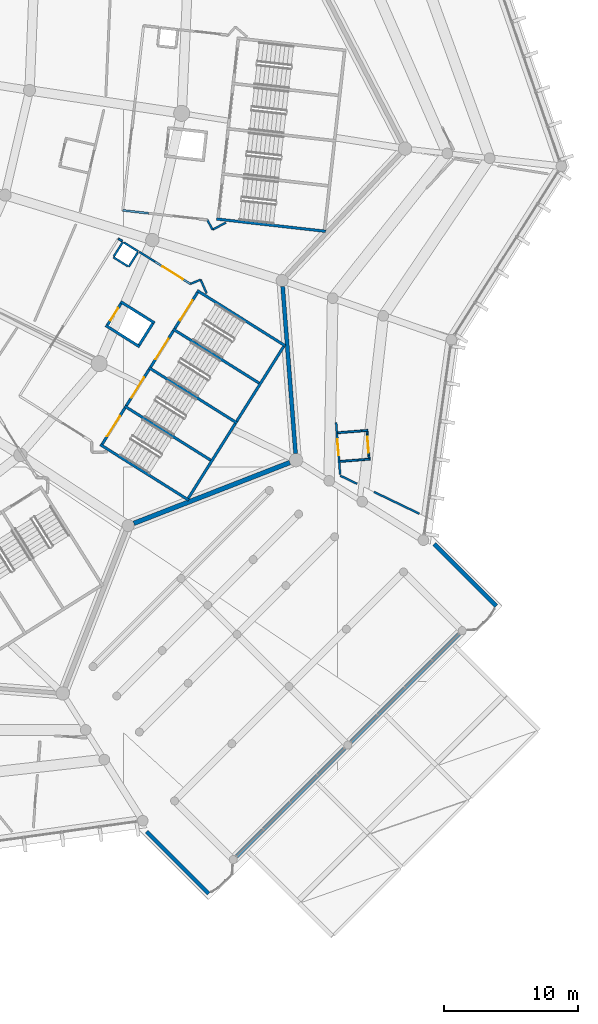
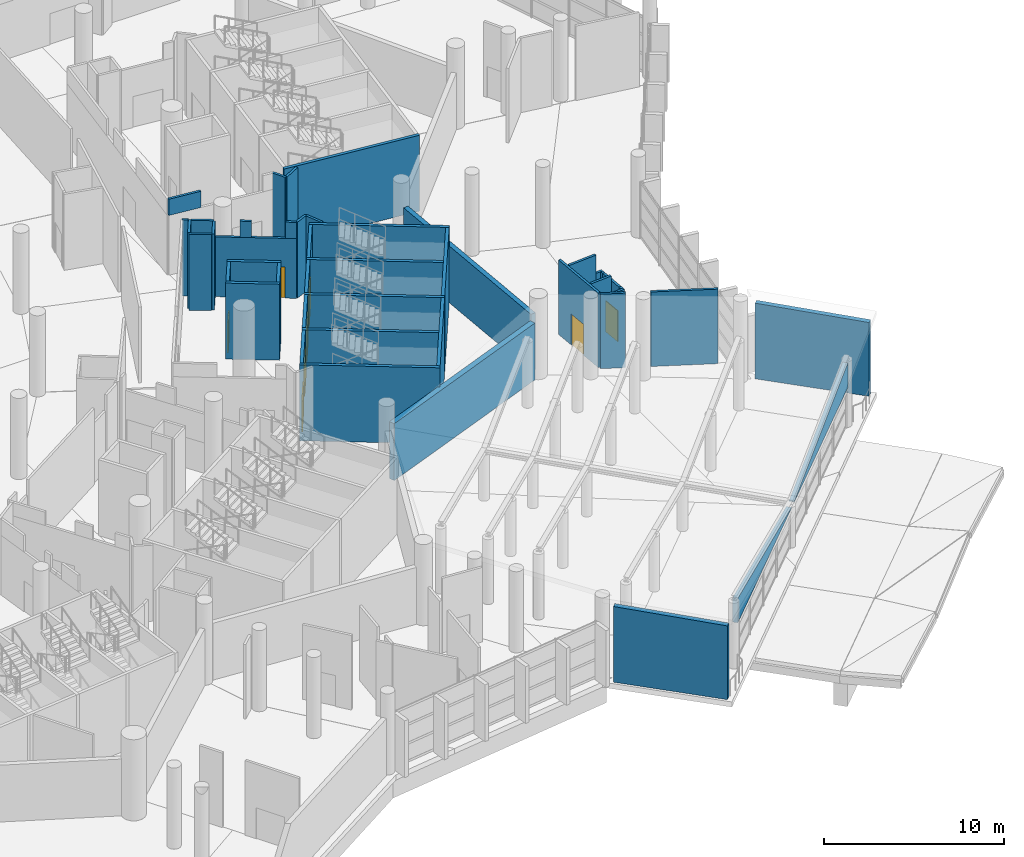
# One storey, part 175 of 271: 46 walls, 8 doors, 8 openings.
"""IFC4 building model written with IfcOpenShell, lengths in metres."""

from ifc_helpers import new_model, si_unit, direction, frame, frame_2d, origin, place, context, subcontext, project, spatial, polyline, rectangle, outline, extrude, material, layer, layer_set, type_object, element, fill, save


model = new_model("IFC4")

# Units and contexts
model_context = context("Model", 3, precision=1e-05, world=origin(), true_north=direction((0.0, 1.0)))
body_context = subcontext(model_context, "Body", "Model", "MODEL_VIEW")
ifc_project = project(units=[si_unit("LENGTHUNIT", "METRE"), si_unit("AREAUNIT", "SQUARE_METRE"), si_unit("VOLUMEUNIT", "CUBIC_METRE"), si_unit("PLANEANGLEUNIT", "RADIAN"), si_unit("MASSUNIT", "GRAM", prefix="KILO")], contexts=[model_context])

# Site, building, storey
site_placement = place(None, origin())
site = spatial("IfcSite", under=ifc_project, at=site_placement, CompositionType="ELEMENT")
building_placement = place(site_placement, origin())
building = spatial("IfcBuilding", under=site, at=building_placement, Name="Meseta Stadium", CompositionType="ELEMENT")
storey_placement = place(building_placement, frame((0.0, 0.0, 6.5)))
storey = spatial("IfcBuildingStorey", under=building, at=storey_placement, Name="L01", CompositionType="ELEMENT", Elevation=6.5)

# Walls
ifc_material_1 = material(Name="Concrete C40/50", Category="concrete")
ifc_layer_1 = layer(ifc_material_1, 0.199951171875)
ifc_layer_set_1 = layer_set([ifc_layer_1], Name="Core divider wall 200")
wall_type_1 = type_object("IfcWallType", Name="Core divider wall 200", PredefinedType="SHEAR", material=ifc_layer_set_1)
wall_1_placement = place(storey_placement, frame((86.696533203125, -79.5869140625, 0.0), z_axis=(0.0, 0.0, 1.0), x_axis=(-0.846713903605, 0.532048461553, 0.0)))
element("IfcWall", 1, at=wall_1_placement, inside=storey, type_object=wall_type_1, Name="Core 28 L01 stair A divider wall", PredefinedType="SHEAR", context=body_context, shape_type="SweptSolid", body=[
    extrude(rectangle(XDim=7.7998046875, YDim=0.199951171875, at=frame_2d((3.89990234375, 0.0))), origin(), (0.0, 0.0, 1.0), 5.14990234375),
])
wall_2_placement = place(storey_placement, frame((90.314453125, -73.8291015625, 0.0), z_axis=(0.0, 0.0, 1.0), x_axis=(-0.846722763703, 0.532034361135, 0.0)))
element("IfcWall", 2, at=wall_2_placement, inside=storey, type_object=wall_type_1, Name="Core 28 L01 stair B divider wall", PredefinedType="SHEAR", context=body_context, shape_type="SweptSolid", body=[
    extrude(rectangle(XDim=7.800048828125, YDim=0.199951171875, at=frame_2d((3.89990234375, 0.0))), origin(), (0.0, 0.0, 1.0), 5.14990234375),
])
ifc_material_2 = material(Name="Concrete C40/50", Category="concrete")
ifc_layer_2 = layer(ifc_material_2, 0.199951171875)
ifc_layer_set_2 = layer_set([ifc_layer_2], Name="Core shaft wall 200")
wall_type_2 = type_object("IfcWallType", Name="Core shaft wall 200", PredefinedType="SHEAR", material=ifc_layer_set_2)
wall_3_placement = place(storey_placement, frame((95.123046875, -62.3779296875, 0.0), z_axis=(0.0, 0.0, 1.0), x_axis=(-0.993710792168, 0.111977058046, 0.0)))
element("IfcWall", 3, at=wall_3_placement, inside=storey, type_object=wall_type_2, Name="Core 01 L01 stair wall A-side", PredefinedType="SHEAR", context=body_context, shape_type="SweptSolid", body=[
    extrude(rectangle(XDim=8.199951171875, YDim=0.199951171875, at=frame_2d((4.10009765625, 0.0))), origin(), (0.0, 0.0, 1.0), 5.14990234375),
])
for number, where, z_axis, x_axis, name in (
    (4, (84.8876953125, -82.4658203125, 0.0), (0.0, 0.0, 1.0), (-0.846722763703, 0.532034361135, 0.0), "Core 28 L01 stair wall A-side"),
    (5, (88.505615234375, -76.7080078125, 0.0), (0.0, 0.0, 1.0), (-0.846722763703, 0.532034361135, 0.0), "Core 28 L01 stair wall shared"),
    (6, (92.123291015625, -70.9501953125, 0.0), (0.0, 0.0, 1.0), (-0.846722763703, 0.532034361135, 0.0), "Core 28 L01 stair wall B-side"),
):
    element("IfcWall", number, at=place(storey_placement, frame(where, z_axis=z_axis, x_axis=x_axis)), inside=storey, type_object=wall_type_2, Name=name, PredefinedType="SHEAR", context=body_context, shape_type="SweptSolid", body=[
        extrude(rectangle(XDim=7.800048828125, YDim=0.199951171875, at=frame_2d((3.89990234375, 0.0))), origin(), (0.0, 0.0, 1.0), 5.14990234375),
    ])
for number, where, z_axis, x_axis, name in (
    (7, (84.856201171875, -82.327880859375, 0.0), (0.0, 0.0, 1.0), (0.532038964807, 0.846719870989, 0.0), "Core 28 L01 stair A outer end wall"),
    (8, (88.47412109375, -76.570068359375, 0.0), (0.0, 0.0, 1.0), (0.532038964807, 0.846719870989, 0.0), "Core 28 L01 stair B outer end wall"),
):
    element("IfcWall", number, at=place(storey_placement, frame(where, z_axis=z_axis, x_axis=x_axis)), inside=storey, type_object=wall_type_2, Name=name, PredefinedType="SHEAR", context=body_context, shape_type="SweptSolid", body=[
        extrude(rectangle(XDim=6.60009765625, YDim=0.199951171875, at=frame_2d((3.300048828125, 0.0))), origin(), (0.0, 0.0, 1.0), 5.14990234375),
    ])

# Wall, opening, door
wall_4_placement = place(storey_placement, frame((78.421142578125, -78.284423828125, 0.0), z_axis=(0.0, 0.0, 1.0), x_axis=(0.53206841829, 0.84670136309, 0.0)))
wall_4 = element("IfcWall", 9, at=wall_4_placement, inside=storey, type_object=wall_type_2, Name="Core 28 L01 stair A1 inner end wall", PredefinedType="SHEAR", context=body_context, shape_type="SweptSolid", body=[
    extrude(rectangle(XDim=3.199951171875, YDim=0.199951171875, at=frame_2d((1.60009765625, 0.0))), origin(), (0.0, 0.0, 1.0), 5.14990234375),
])
opening_1_placement = place(wall_4_placement, frame((0.699951171875, 0.0, 0.0)))
opening_1 = element("IfcOpeningElement", 10, at=opening_1_placement, cuts=wall_4, Name="Opening D373", PredefinedType="OPENING", context=body_context, shape_type="SweptSolid", body=[
    extrude(rectangle(XDim=1.800048828125, YDim=2.10009765625, at=frame_2d((0.89990234375, 1.050048828125))), frame((0.0, 0.10986328125, 0.0), z_axis=(0.0, -1.0, 0.0), x_axis=(1.0, 0.0, 0.0)), (0.0, 0.0, 1.0), 0.219970703125),
])
ifc_material_3 = material(Name="Steel", Category="steel")
door_type_1 = type_object("IfcDoorType", Name="Stair door 1800x2100", OperationType="DOUBLE_DOOR_SINGLE_SWING", PredefinedType="DOOR", material=ifc_material_3)
door_1_placement = place(opening_1_placement, origin())
door_1 = element("IfcDoor", 11, at=door_1_placement, inside=storey, type_object=door_type_1, Name="Stair A1 door 28 L01", OperationType="DOUBLE_DOOR_SINGLE_SWING", OverallHeight=2.10009765625, OverallWidth=1.800048828125, PredefinedType="DOOR", context=body_context, shape_type="SweptSolid", body=[
    extrude(rectangle(XDim=1.800048828125, YDim=2.10009765625, at=frame_2d((0.89990234375, 1.050048828125))), frame((0.0, 0.02490234375, 0.0), z_axis=(0.0, -1.0, 0.0), x_axis=(1.0, 0.0, 0.0)), (0.0, 0.0, 1.0), 0.050048828125),
])
fill(opening_1, door_1)

wall_5_placement = place(storey_placement, frame((80.22998046875, -75.405517578125, 0.0), z_axis=(0.0, 0.0, 1.0), x_axis=(0.53206841829, 0.84670136309, 0.0)))
wall_5 = element("IfcWall", 12, at=wall_5_placement, inside=storey, type_object=wall_type_2, Name="Core 28 L01 stair A2 inner end wall", PredefinedType="SHEAR", context=body_context, shape_type="SweptSolid", body=[
    extrude(rectangle(XDim=3.199951171875, YDim=0.199951171875, at=frame_2d((1.60009765625, 0.0))), origin(), (0.0, 0.0, 1.0), 5.14990234375),
])
opening_2_placement = place(wall_5_placement, frame((0.699951171875, 0.0, 0.0)))
opening_2 = element("IfcOpeningElement", 13, at=opening_2_placement, cuts=wall_5, Name="Opening D374", PredefinedType="OPENING", context=body_context, shape_type="SweptSolid", body=[
    extrude(rectangle(XDim=1.800048828125, YDim=2.10009765625, at=frame_2d((0.89990234375, 1.050048828125))), frame((0.0, 0.10986328125, 0.0), z_axis=(0.0, -1.0, 0.0), x_axis=(1.0, 0.0, 0.0)), (0.0, 0.0, 1.0), 0.219970703125),
])
door_2_placement = place(opening_2_placement, origin())
door_2 = element("IfcDoor", 14, at=door_2_placement, inside=storey, type_object=door_type_1, Name="Stair A2 door 28 L01", OperationType="DOUBLE_DOOR_SINGLE_SWING", OverallHeight=2.10009765625, OverallWidth=1.800048828125, PredefinedType="DOOR", context=body_context, shape_type="SweptSolid", body=[
    extrude(rectangle(XDim=1.800048828125, YDim=2.10009765625, at=frame_2d((0.89990234375, 1.050048828125))), frame((0.0, 0.02490234375, 0.0), z_axis=(0.0, -1.0, 0.0), x_axis=(1.0, 0.0, 0.0)), (0.0, 0.0, 1.0), 0.050048828125),
])
fill(opening_2, door_2)

wall_6_placement = place(storey_placement, frame((82.0390625, -72.526611328125, 0.0), z_axis=(0.0, 0.0, 1.0), x_axis=(0.532013720158, 0.846735733015, 0.0)))
wall_6 = element("IfcWall", 15, at=wall_6_placement, inside=storey, type_object=wall_type_2, Name="Core 28 L01 stair B1 inner end wall", PredefinedType="SHEAR", context=body_context, shape_type="SweptSolid", body=[
    extrude(rectangle(XDim=3.199951171875, YDim=0.199951171875, at=frame_2d((1.60009765625, 0.0))), origin(), (0.0, 0.0, 1.0), 5.14990234375),
])
opening_3_placement = place(wall_6_placement, frame((0.699951171875, 0.0, 0.0)))
opening_3 = element("IfcOpeningElement", 16, at=opening_3_placement, cuts=wall_6, Name="Opening D375", PredefinedType="OPENING", context=body_context, shape_type="SweptSolid", body=[
    extrude(rectangle(XDim=1.800048828125, YDim=2.10009765625, at=frame_2d((0.89990234375, 1.050048828125))), frame((0.0, 0.10986328125, 0.0), z_axis=(0.0, -1.0, 0.0), x_axis=(1.0, 0.0, 0.0)), (0.0, 0.0, 1.0), 0.219970703125),
])
door_3_placement = place(opening_3_placement, origin())
door_3 = element("IfcDoor", 17, at=door_3_placement, inside=storey, type_object=door_type_1, Name="Stair B1 door 28 L01", OperationType="DOUBLE_DOOR_SINGLE_SWING", OverallHeight=2.10009765625, OverallWidth=1.800048828125, PredefinedType="DOOR", context=body_context, shape_type="SweptSolid", body=[
    extrude(rectangle(XDim=1.800048828125, YDim=2.10009765625, at=frame_2d((0.89990234375, 1.050048828125))), frame((0.0, 0.02490234375, 0.0), z_axis=(0.0, -1.0, 0.0), x_axis=(1.0, 0.0, 0.0)), (0.0, 0.0, 1.0), 0.050048828125),
])
fill(opening_3, door_3)

wall_7_placement = place(storey_placement, frame((83.847900390625, -69.647705078125, 0.0), z_axis=(0.0, 0.0, 1.0), x_axis=(0.532013720158, 0.846735733015, 0.0)))
wall_7 = element("IfcWall", 18, at=wall_7_placement, inside=storey, type_object=wall_type_2, Name="Core 28 L01 stair B2 inner end wall", PredefinedType="SHEAR", context=body_context, shape_type="SweptSolid", body=[
    extrude(rectangle(XDim=3.199951171875, YDim=0.199951171875, at=frame_2d((1.60009765625, 0.0))), origin(), (0.0, 0.0, 1.0), 5.14990234375),
])
opening_4_placement = place(wall_7_placement, frame((0.699951171875, 0.0, 0.0)))
opening_4 = element("IfcOpeningElement", 19, at=opening_4_placement, cuts=wall_7, Name="Opening D376", PredefinedType="OPENING", context=body_context, shape_type="SweptSolid", body=[
    extrude(rectangle(XDim=1.800048828125, YDim=2.10009765625, at=frame_2d((0.89990234375, 1.050048828125))), frame((0.0, 0.10986328125, 0.0), z_axis=(0.0, -1.0, 0.0), x_axis=(1.0, 0.0, 0.0)), (0.0, 0.0, 1.0), 0.219970703125),
])
door_4_placement = place(opening_4_placement, origin())
door_4 = element("IfcDoor", 20, at=door_4_placement, inside=storey, type_object=door_type_1, Name="Stair B2 door 28 L01", OperationType="DOUBLE_DOOR_SINGLE_SWING", OverallHeight=2.10009765625, OverallWidth=1.800048828125, PredefinedType="DOOR", context=body_context, shape_type="SweptSolid", body=[
    extrude(rectangle(XDim=1.800048828125, YDim=2.10009765625, at=frame_2d((0.89990234375, 1.050048828125))), frame((0.0, 0.02490234375, 0.0), z_axis=(0.0, -1.0, 0.0), x_axis=(1.0, 0.0, 0.0)), (0.0, 0.0, 1.0), 0.050048828125),
])
fill(opening_4, door_4)

# Walls
for number, where, z_axis, x_axis, name in (
    (21, (81.22119140625, -71.0087890625, 0.0), (0.0, 0.0, 1.0), (-0.846757002027, 0.531979867588, 0.0), "Core 28 L01 lift shaft wall left"),
    (22, (82.33837890625, -69.230712890625, 0.0), (0.0, 0.0, 1.0), (-0.846757002027, 0.531979867588, 0.0), "Core 28 L01 lift shaft wall right"),
):
    element("IfcWall", number, at=place(storey_placement, frame(where, z_axis=z_axis, x_axis=x_axis)), inside=storey, type_object=wall_type_2, Name=name, PredefinedType="SHEAR", context=body_context, shape_type="SweptSolid", body=[
        extrude(rectangle(XDim=3.0, YDim=0.199951171875, at=frame_2d((1.5, 0.0))), origin(), (0.0, 0.0, 1.0), 5.14990234375),
    ])
wall_8_placement = place(storey_placement, frame((81.189697265625, -70.87109375, 0.0), z_axis=(0.0, 0.0, 1.0), x_axis=(0.531961007765, 0.846768850524, 0.0)))
element("IfcWall", 23, at=wall_8_placement, inside=storey, type_object=wall_type_2, Name="Core 28 L01 lift shaft back wall", PredefinedType="SHEAR", context=body_context, shape_type="SweptSolid", body=[
    extrude(rectangle(XDim=1.900146484375, YDim=0.199951171875, at=frame_2d((0.9501953125, 0.0))), origin(), (0.0, 0.0, 1.0), 5.14990234375),
])

# Wall, opening, door
wall_9_placement = place(storey_placement, frame((78.81884765625, -69.38134765625, 0.0), z_axis=(0.0, 0.0, 1.0), x_axis=(0.532018892235, 0.846732483318, 0.0)))
wall_9 = element("IfcWall", 24, at=wall_9_placement, inside=storey, type_object=wall_type_2, Name="Core 28 L01 lift shaft front wall", PredefinedType="SHEAR", context=body_context, shape_type="SweptSolid", body=[
    extrude(rectangle(XDim=1.89990234375, YDim=0.199951171875, at=frame_2d((0.949951171875, 0.0))), origin(), (0.0, 0.0, 1.0), 5.14990234375),
])
opening_5_placement = place(wall_9_placement, frame((0.39990234375, 0.0, 0.0)))
opening_5 = element("IfcOpeningElement", 25, at=opening_5_placement, cuts=wall_9, Name="Opening LD153", PredefinedType="OPENING", context=body_context, shape_type="SweptSolid", body=[
    extrude(rectangle(XDim=1.10009765625, YDim=2.10009765625, at=frame_2d((0.550048828125, 1.050048828125))), frame((0.0, 0.10986328125, 0.0), z_axis=(0.0, -1.0, 0.0), x_axis=(1.0, 0.0, 0.0)), (0.0, 0.0, 1.0), 0.219970703125),
])
ifc_material_4 = material(Name="Steel", Category="steel")
door_type_2 = type_object("IfcDoorType", Name="Lift landing door 1100x2100", OperationType="SLIDING_TO_LEFT", PredefinedType="DOOR", material=ifc_material_4)
door_5_placement = place(opening_5_placement, origin())
door_5 = element("IfcDoor", 26, at=door_5_placement, inside=storey, type_object=door_type_2, Name="Lift landing door LD153", OperationType="SLIDING_TO_LEFT", OverallHeight=2.10009765625, OverallWidth=1.10009765625, PredefinedType="DOOR", context=body_context, shape_type="SweptSolid", body=[
    extrude(rectangle(XDim=1.10009765625, YDim=2.10009765625, at=frame_2d((0.550048828125, 1.050048828125))), frame((0.0, 0.02490234375, 0.0), z_axis=(0.0, -1.0, 0.0), x_axis=(1.0, 0.0, 0.0)), (0.0, 0.0, 1.0), 0.050048828125),
])
fill(opening_5, door_5)

# Walls
ifc_material_5 = material(Name="Precast concrete C40/50", Category="concrete")
ifc_layer_3 = layer(ifc_material_5, 0.300048828125)
ifc_layer_set_3 = layer_set([ifc_layer_3], Name="Gate facade panel wall 300")
wall_type_3 = type_object("IfcWallType", Name="Gate facade panel wall 300", PredefinedType="SOLIDWALL", material=ifc_layer_set_3)
wall_10_placement = place(storey_placement, frame((88.426513671875, -109.114013671875, 2.744384765625), z_axis=(0.0, 0.0, 1.0), x_axis=(0.707106781187, 0.707106781187, 0.0)))
element("IfcWall", 27, at=wall_10_placement, inside=storey, type_object=wall_type_3, Name="Gate 8 gable panel wall", PredefinedType="SOLIDWALL", context=body_context, shape_type="SweptSolid", body=[
    extrude(outline(polyline([(0.0, 0.0), (11.499755859375, 0.0), (11.5, 0.052001953125), (0.0, 1.662109375), (0.0, 0.0)])), frame((0.0, 0.14990234375, 0.0), z_axis=(0.0, -1.0, 0.0), x_axis=(1.0, 0.0, 0.0)), (0.0, 0.0, 1.0), 0.300048828125),
])
wall_11_placement = place(storey_placement, frame((96.982421875, -100.55810546875, 2.744384765625), z_axis=(0.0, 0.0, 1.0), x_axis=(0.707106781187, 0.707106781187, 0.0)))
element("IfcWall", 28, at=wall_11_placement, inside=storey, type_object=wall_type_3, Name="Gate 8 gable panel wall", PredefinedType="SOLIDWALL", context=body_context, shape_type="SweptSolid", body=[
    extrude(outline(polyline([(0.0, 0.0), (11.499755859375, 0.0), (11.5, 1.662109375), (0.0, 0.052001953125), (0.0, 0.0)])), frame((0.0, 0.14990234375, 0.0), z_axis=(0.0, -1.0, 0.0), x_axis=(1.0, 0.0, 0.0)), (0.0, 0.0, 1.0), 0.300048828125),
])
wall_12_placement = place(storey_placement, frame((103.238525390625, -85.742431640625, 0.0), z_axis=(0.0, 0.0, 1.0), x_axis=(0.707106781187, -0.707106781187, 0.0)))
element("IfcWall", 29, at=wall_12_placement, inside=storey, type_object=wall_type_3, Name="Gate 8 side gable panel wall", PredefinedType="SOLIDWALL", context=body_context, shape_type="SweptSolid", body=[
    extrude(outline(polyline([(0.0, 0.0), (6.552490234375, 0.0), (6.552490234375, 4.99755859375), (0.0, 5.12841796875), (0.0, 0.0)])), frame((0.0, 0.14990234375, 0.0), z_axis=(0.0, -1.0, 0.0), x_axis=(1.0, 0.0, 0.0)), (0.0, 0.0, 1.0), 0.300048828125),
])
wall_13_placement = place(storey_placement, frame((86.375732421875, -111.871826171875, 0.0), z_axis=(0.0, 0.0, 1.0), x_axis=(-0.707106781187, 0.707106781187, 0.0)))
element("IfcWall", 30, at=wall_13_placement, inside=storey, type_object=wall_type_3, Name="Gate 8 side gable panel wall", PredefinedType="SOLIDWALL", context=body_context, shape_type="SweptSolid", body=[
    extrude(outline(polyline([(0.0, 0.0), (6.552490234375, 0.0), (6.552490234375, 5.12841796875), (0.0, 4.99755859375), (0.0, 0.0)])), frame((0.0, 0.14990234375, 0.0), z_axis=(0.0, -1.0, 0.0), x_axis=(1.0, 0.0, 0.0)), (0.0, 0.0, 1.0), 0.300048828125),
])
ifc_material_6 = material(Name="Masonry blockwork", Category="masonry")
ifc_layer_4 = layer(ifc_material_6, 0.14990234375)
ifc_layer_set_4 = layer_set([ifc_layer_4], Name="Partition 150")
wall_type_4 = type_object("IfcWallType", Name="Partition 150", PredefinedType="PARTITIONING", material=ifc_layer_set_4)
wall_14_placement = place(storey_placement, frame((102.117919921875, -83.479248046875, 0.0), z_axis=(0.0, 0.0, 1.0), x_axis=(-0.901188323719, 0.433427739298, 0.0)))
element("IfcWall", 31, at=wall_14_placement, inside=storey, type_object=wall_type_4, Name="Partition L01 L01-ring27-0", PredefinedType="PARTITIONING", context=body_context, shape_type="SweptSolid", body=[
    extrude(rectangle(XDim=3.74755859375, YDim=0.14990234375, at=frame_2d((1.873779296875, 0.0))), origin(), (0.0, 0.0, 1.0), 5.050048828125),
])
wall_15_placement = place(storey_placement, frame((97.47412109375, -81.245849609375, 0.0), z_axis=(0.0, 0.0, 1.0), x_axis=(-0.901167600811, 0.433470823988, 0.0)))
element("IfcWall", 32, at=wall_15_placement, inside=storey, type_object=wall_type_4, Name="Partition L01 L01-ring27-0", PredefinedType="PARTITIONING", context=body_context, shape_type="SweptSolid", body=[
    extrude(rectangle(XDim=1.4052734375, YDim=0.14990234375, at=frame_2d((0.70263671875, 0.0))), origin(), (0.0, 0.0, 1.0), 5.050048828125),
])

# Wall, opening, door
wall_16_placement = place(storey_placement, frame((96.201171875, -80.55029296875, 0.0), z_axis=(0.0, 0.0, 1.0), x_axis=(-0.076969034149, 0.997033483782, 0.0)))
wall_16 = element("IfcWall", 33, at=wall_16_placement, inside=storey, type_object=wall_type_4, Name="Partition L01 L01-ring27-0", PredefinedType="PARTITIONING", context=body_context, shape_type="SweptSolid", body=[
    extrude(rectangle(XDim=3.904541015625, YDim=0.14990234375, at=frame_2d((1.9521484375, 0.0))), origin(), (0.0, 0.0, 1.0), 5.050048828125),
])
opening_6_placement = place(wall_16_placement, frame((1.449951171875, 0.0, 0.0)))
opening_6 = element("IfcOpeningElement", 34, at=opening_6_placement, cuts=wall_16, Name="Opening D705", PredefinedType="OPENING", context=body_context, shape_type="SweptSolid", body=[
    extrude(rectangle(XDim=1.199951171875, YDim=2.10009765625, at=frame_2d((0.60009765625, 1.050048828125))), frame((0.0, 0.0849609375, 0.0), z_axis=(0.0, -1.0, 0.0), x_axis=(1.0, 0.0, 0.0)), (0.0, 0.0, 1.0), 0.169921875),
])
ifc_material_7 = material(Name="Steel", Category="steel")
door_type_3 = type_object("IfcDoorType", Name="Fire door 1200x2100 EI2 60", OperationType="NOTDEFINED", PredefinedType="DOOR", material=ifc_material_7)
door_6_placement = place(opening_6_placement, origin())
door_6 = element("IfcDoor", 35, at=door_6_placement, inside=storey, type_object=door_type_3, Name="Door D705", OperationType="SINGLE_SWING_RIGHT", OverallHeight=2.10009765625, OverallWidth=1.199951171875, PredefinedType="DOOR", context=body_context, shape_type="SweptSolid", body=[
    extrude(rectangle(XDim=1.199951171875, YDim=2.10009765625, at=frame_2d((0.60009765625, 1.050048828125))), frame((0.0, 0.02490234375, 0.0), z_axis=(0.0, -1.0, 0.0), x_axis=(1.0, 0.0, 0.0)), (0.0, 0.0, 1.0), 0.050048828125),
])
fill(opening_6, door_6)

# Walls
wall_17_placement = place(storey_placement, frame((79.95751953125, -60.81494140625, 4.050048828125), z_axis=(0.0, 0.0, 1.0), x_axis=(0.993707363865, -0.11200747743, 0.0)))
element("IfcWall", 36, at=wall_17_placement, inside=storey, type_object=wall_type_4, Name="Stair vestibule wall L01 core 01", PredefinedType="PARTITIONING", context=body_context, shape_type="SweptSolid", body=[
    extrude(rectangle(XDim=1.955078125, YDim=0.14990234375, at=frame_2d((0.9775390625, 0.0))), origin(), (0.0, 0.0, 1.0), 1.099853515625),
])
wall_18_placement = place(storey_placement, frame((86.27197265625, -61.526611328125, 0.0), z_axis=(0.0, 0.0, 1.0), x_axis=(0.480336186773, -0.877084458691, 0.0)))
element("IfcWall", 37, at=wall_18_placement, inside=storey, type_object=wall_type_4, Name="Stair vestibule wall L01 core 01", PredefinedType="PARTITIONING", context=body_context, shape_type="SweptSolid", body=[
    extrude(rectangle(XDim=0.82958984375, YDim=0.14990234375, at=frame_2d((0.414794921875, 0.0))), origin(), (0.0, 0.0, 1.0), 5.14990234375),
])
wall_19_placement = place(storey_placement, frame((86.67041015625, -62.254150390625, 0.0), z_axis=(0.0, 0.0, 1.0), x_axis=(0.884880656279, 0.465817801446, 0.0)))
element("IfcWall", 38, at=wall_19_placement, inside=storey, type_object=wall_type_4, Name="Stair vestibule wall L01 core 01", PredefinedType="PARTITIONING", context=body_context, shape_type="SweptSolid", body=[
    extrude(rectangle(XDim=1.1279296875, YDim=0.14990234375, at=frame_2d((0.56396484375, 0.0))), origin(), (0.0, 0.0, 1.0), 5.14990234375),
])
for number, where, z_axis, x_axis, name in (
    (39, (80.400634765625, -65.03125, 0.0), (0.0, 0.0, 1.0), (0.532097038765, 0.846683377265, 0.0), "Pressurisation shaft wall L01 core 28"),
    (40, (81.118896484375, -63.88818359375, 0.0), (0.0, 0.0, 1.0), (-0.846683377265, 0.532097038765, 0.0), "Pressurisation shaft wall L01 core 28"),
):
    element("IfcWall", number, at=place(storey_placement, frame(where, z_axis=z_axis, x_axis=x_axis)), inside=storey, type_object=wall_type_4, Name=name, PredefinedType="PARTITIONING", context=body_context, shape_type="SweptSolid", body=[
        extrude(rectangle(XDim=1.275146484375, YDim=0.14990234375, at=frame_2d((0.6376953125, 0.0))), origin(), (0.0, 0.0, 1.0), 5.14990234375),
    ])
for number, where, z_axis, x_axis, name in (
    (41, (79.975830078125, -63.169921875, 0.0), (0.0, 0.0, 1.0), (-0.531959757672, -0.846769635862, 0.0), "Pressurisation shaft wall L01 core 28"),
    (42, (79.257568359375, -64.31298828125, 0.0), (0.0, 0.0, 1.0), (0.846769635862, -0.531959757672, 0.0), "Pressurisation shaft wall L01 core 28"),
):
    element("IfcWall", number, at=place(storey_placement, frame(where, z_axis=z_axis, x_axis=x_axis)), inside=storey, type_object=wall_type_4, Name=name, PredefinedType="PARTITIONING", context=body_context, shape_type="SweptSolid", body=[
        extrude(rectangle(XDim=1.27490234375, YDim=0.14990234375, at=frame_2d((0.637451171875, 0.0))), origin(), (0.0, 0.0, 1.0), 5.14990234375),
    ])
wall_20_placement = place(storey_placement, frame((79.91455078125, -63.107666015625, 0.0), z_axis=(0.0, 0.0, 1.0), x_axis=(-0.84676785432, 0.531962593506, 0.0)))
element("IfcWall", 43, at=wall_20_placement, inside=storey, type_object=wall_type_4, Name="Stair vestibule wall L01 core 28", PredefinedType="PARTITIONING", context=body_context, shape_type="SweptSolid", body=[
    extrude(rectangle(XDim=0.3349609375, YDim=0.14990234375, at=frame_2d((0.16748046875, 0.0))), origin(), (0.0, 0.0, 1.0), 5.14990234375),
])
wall_21_placement = place(storey_placement, frame((86.22900390625, -67.022705078125, 0.0), z_axis=(0.0, 0.0, 1.0), x_axis=(-0.401170879934, 0.916003234215, 0.0)))
element("IfcWall", 44, at=wall_21_placement, inside=storey, type_object=wall_type_4, Name="Stair vestibule wall L01 core 28", PredefinedType="PARTITIONING", context=body_context, shape_type="SweptSolid", body=[
    extrude(rectangle(XDim=1.127685546875, YDim=0.14990234375, at=frame_2d((0.56396484375, 0.0))), origin(), (0.0, 0.0, 1.0), 5.14990234375),
])
wall_22_placement = place(storey_placement, frame((85.776611328125, -65.98974609375, 0.0), z_axis=(0.0, 0.0, 1.0), x_axis=(-0.922414184809, -0.386202112453, 0.0)))
element("IfcWall", 45, at=wall_22_placement, inside=storey, type_object=wall_type_4, Name="Stair vestibule wall L01 core 28", PredefinedType="PARTITIONING", context=body_context, shape_type="SweptSolid", body=[
    extrude(rectangle(XDim=0.830078125, YDim=0.14990234375, at=frame_2d((0.4150390625, 0.0))), origin(), (0.0, 0.0, 1.0), 5.14990234375),
])

# Wall, opening, door
wall_23_placement = place(storey_placement, frame((85.010986328125, -66.310302734375, 0.0), z_axis=(0.0, 0.0, 1.0), x_axis=(-0.846710517912, 0.532053849583, 0.0)))
wall_23 = element("IfcWall", 46, at=wall_23_placement, inside=storey, type_object=wall_type_4, Name="Stair vestibule wall L01 core 28", PredefinedType="PARTITIONING", context=body_context, shape_type="SweptSolid", body=[
    extrude(rectangle(XDim=4.50341796875, YDim=0.14990234375, at=frame_2d((2.251708984375, 0.0))), origin(), (0.0, 0.0, 1.0), 4.050048828125),
])
opening_7_placement = place(wall_23_placement, frame((0.64990234375, 0.0, 0.0)))
opening_7 = element("IfcOpeningElement", 47, at=opening_7_placement, cuts=wall_23, Name="Opening D812", PredefinedType="OPENING", context=body_context, shape_type="SweptSolid", body=[
    extrude(rectangle(XDim=1.800048828125, YDim=2.10009765625, at=frame_2d((0.89990234375, 1.050048828125))), frame((0.0, 0.0849609375, 0.0), z_axis=(0.0, -1.0, 0.0), x_axis=(1.0, 0.0, 0.0)), (0.0, 0.0, 1.0), 0.169921875),
])
ifc_material_8 = material(Name="Steel", Category="steel")
door_type_4 = type_object("IfcDoorType", Name="Fire double door 1800x2100 EI2 60", OperationType="DOUBLE_DOOR_SINGLE_SWING", PredefinedType="DOOR", material=ifc_material_8)
door_7_placement = place(opening_7_placement, origin())
door_7 = element("IfcDoor", 48, at=door_7_placement, inside=storey, type_object=door_type_4, Name="Stair vestibule door L01 core 28", OperationType="DOUBLE_DOOR_SINGLE_SWING", OverallHeight=2.10009765625, OverallWidth=1.800048828125, PredefinedType="DOOR", context=body_context, shape_type="SweptSolid", body=[
    extrude(rectangle(XDim=1.800048828125, YDim=2.10009765625, at=frame_2d((0.89990234375, 1.050048828125))), frame((0.0, 0.02490234375, 0.0), z_axis=(0.0, -1.0, 0.0), x_axis=(1.0, 0.0, 0.0)), (0.0, 0.0, 1.0), 0.050048828125),
])
fill(opening_7, door_7)

# Walls
wall_24_placement = place(storey_placement, frame((82.894287109375, -64.97998046875, 4.050048828125), z_axis=(0.0, 0.0, 1.0), x_axis=(-0.846776270945, 0.53194919585, 0.0)))
element("IfcWall", 49, at=wall_24_placement, inside=storey, type_object=wall_type_4, Name="Stair vestibule wall L01 core 28", PredefinedType="PARTITIONING", context=body_context, shape_type="SweptSolid", body=[
    extrude(rectangle(XDim=0.652099609375, YDim=0.14990234375, at=frame_2d((0.326171875, 0.0))), origin(), (0.0, 0.0, 1.0), 1.099853515625),
])
wall_25_placement = place(storey_placement, frame((96.20068359375, -79.572509765625, 0.0), z_axis=(0.0, 0.0, 1.0), x_axis=(0.997028903068, 0.077028348333, 0.0)))
element("IfcWall", 50, at=wall_25_placement, inside=storey, type_object=wall_type_4, Name="Partition L01 L01-ring27-0 vestibule", PredefinedType="PARTITIONING", context=body_context, shape_type="SweptSolid", body=[
    extrude(rectangle(XDim=1.35009765625, YDim=0.14990234375, at=frame_2d((0.675048828125, 0.0))), origin(), (0.0, 0.0, 1.0), 5.10009765625),
])
wall_26_placement = place(storey_placement, frame((97.546875, -79.468505859375, 0.0), z_axis=(0.0, 0.0, 1.0), x_axis=(0.997070419096, 0.076489080029, 0.0)))
element("IfcWall", 51, at=wall_26_placement, inside=storey, type_object=wall_type_4, Name="Partition L01 L01-ring27-0 vestibule", PredefinedType="PARTITIONING", context=body_context, shape_type="SweptSolid", body=[
    extrude(rectangle(XDim=0.449951171875, YDim=0.14990234375, at=frame_2d((0.22509765625, 0.0))), origin(), (0.0, 0.0, 1.0), 3.85009765625),
])
wall_27_placement = place(storey_placement, frame((97.99560546875, -79.43408203125, 0.0), z_axis=(0.0, 0.0, 1.0), x_axis=(0.997025681882, 0.077070030935, 0.0)))
element("IfcWall", 52, at=wall_27_placement, inside=storey, type_object=wall_type_4, Name="Partition L01 L01-ring27-0 vestibule", PredefinedType="PARTITIONING", context=body_context, shape_type="SweptSolid", body=[
    extrude(rectangle(XDim=0.44970703125, YDim=0.14990234375, at=frame_2d((0.224853515625, 0.0))), origin(), (0.0, 0.0, 1.0), 3.85009765625),
])
wall_28_placement = place(storey_placement, frame((96.035400390625, -77.428955078125, 0.0), z_axis=(0.0, 0.0, 1.0), x_axis=(0.997028098262, 0.077038764768, 0.0)))
element("IfcWall", 53, at=wall_28_placement, inside=storey, type_object=wall_type_4, Name="Partition L01 L01-ring27-0 vestibule", PredefinedType="PARTITIONING", context=body_context, shape_type="SweptSolid", body=[
    extrude(rectangle(XDim=1.800048828125, YDim=0.14990234375, at=frame_2d((0.89990234375, 0.0))), origin(), (0.0, 0.0, 1.0), 5.10009765625),
])
wall_29_placement = place(storey_placement, frame((97.830078125, -77.290283203125, 0.0), z_axis=(0.0, 0.0, 1.0), x_axis=(0.997028903068, 0.077028348333, 0.0)))
element("IfcWall", 54, at=wall_29_placement, inside=storey, type_object=wall_type_4, Name="Partition L01 L01-ring27-0 vestibule", PredefinedType="PARTITIONING", context=body_context, shape_type="SweptSolid", body=[
    extrude(rectangle(XDim=0.449951171875, YDim=0.14990234375, at=frame_2d((0.22509765625, 0.0))), origin(), (0.0, 0.0, 1.0), 3.85009765625),
])
wall_30_placement = place(storey_placement, frame((98.363525390625, -79.330322265625, 0.0), z_axis=(0.0, 0.0, 1.0), x_axis=(-0.076883141957, 0.997040110769, 0.0)))
element("IfcWall", 55, at=wall_30_placement, inside=storey, type_object=wall_type_4, Name="Partition L01 L01-ring27-0 vestibule", PredefinedType="PARTITIONING", context=body_context, shape_type="SweptSolid", body=[
    extrude(rectangle(XDim=0.199951171875, YDim=0.14990234375, at=frame_2d((0.10009765625, 0.0))), origin(), (0.0, 0.0, 1.0), 3.85009765625),
])

# Wall, opening, door
wall_31_placement = place(storey_placement, frame((98.34814453125, -79.130859375, 0.0), z_axis=(0.0, 0.0, 1.0), x_axis=(-0.076906536042, 0.997038306543, 0.0)))
wall_31 = element("IfcWall", 56, at=wall_31_placement, inside=storey, type_object=wall_type_4, Name="Partition L01 L01-ring27-0 vestibule", PredefinedType="PARTITIONING", context=body_context, shape_type="SweptSolid", body=[
    extrude(rectangle(XDim=1.599853515625, YDim=0.14990234375, at=frame_2d((0.7998046875, 0.0))), origin(), (0.0, 0.0, 1.0), 3.85009765625),
])
opening_8_placement = place(wall_31_placement, frame((0.199951171875, 0.0, 0.0)))
opening_8 = element("IfcOpeningElement", 57, at=opening_8_placement, cuts=wall_31, Name="Opening D928", PredefinedType="OPENING", context=body_context, shape_type="SweptSolid", body=[
    extrude(rectangle(XDim=1.199951171875, YDim=2.10009765625, at=frame_2d((0.60009765625, 1.050048828125))), frame((0.0, 0.0849609375, 0.0), z_axis=(0.0, -1.0, 0.0), x_axis=(1.0, 0.0, 0.0)), (0.0, 0.0, 1.0), 0.169921875),
])
door_8_placement = place(opening_8_placement, origin())
door_8 = element("IfcDoor", 58, at=door_8_placement, inside=storey, type_object=door_type_3, Name="Vestibule door L01 L01-ring27-0", OperationType="SINGLE_SWING_RIGHT", OverallHeight=2.10009765625, OverallWidth=1.199951171875, PredefinedType="DOOR", context=body_context, shape_type="SweptSolid", body=[
    extrude(rectangle(XDim=1.199951171875, YDim=2.10009765625, at=frame_2d((0.60009765625, 1.050048828125))), frame((0.0, 0.02490234375, 0.0), z_axis=(0.0, -1.0, 0.0), x_axis=(1.0, 0.0, 0.0)), (0.0, 0.0, 1.0), 0.050048828125),
])
fill(opening_8, door_8)

# Walls
wall_32_placement = place(storey_placement, frame((98.22509765625, -77.53564453125, 0.0), z_axis=(0.0, 0.0, 1.0), x_axis=(-0.076883141957, 0.997040110769, 0.0)))
element("IfcWall", 59, at=wall_32_placement, inside=storey, type_object=wall_type_4, Name="Partition L01 L01-ring27-0 vestibule", PredefinedType="PARTITIONING", context=body_context, shape_type="SweptSolid", body=[
    extrude(rectangle(XDim=0.199951171875, YDim=0.14990234375, at=frame_2d((0.10009765625, 0.0))), origin(), (0.0, 0.0, 1.0), 3.85009765625),
])
wall_33_placement = place(storey_placement, frame((85.010986328125, -66.310302734375, 4.050048828125), z_axis=(0.0, 0.0, 1.0), x_axis=(-0.846531749872, 0.532338235015, 0.0)))
element("IfcWall", 60, at=wall_33_placement, inside=storey, type_object=wall_type_4, Name="Stair vestibule wall L01 core 28", PredefinedType="PARTITIONING", context=body_context, shape_type="SweptSolid", body=[
    extrude(rectangle(XDim=0.599853515625, YDim=0.14990234375, at=frame_2d((0.2998046875, 0.0))), origin(), (0.0, 0.0, 1.0), 1.099853515625),
])
ifc_material_9 = material(Name="White precast concrete C40/50", Category="concrete")
ifc_layer_5 = layer(ifc_material_9, 0.300048828125)
ifc_layer_set_5 = layer_set([ifc_layer_5], Name="Pleated panel wall 300 concourse")
wall_type_5 = type_object("IfcWallType", Name="Pleated panel wall 300 concourse", PredefinedType="SOLIDWALL", material=ifc_layer_set_5)
wall_34_placement = place(storey_placement, frame((91.9072265625, -66.499755859375, 0.0), z_axis=(0.0, 0.0, 1.0), x_axis=(0.076945644854, -0.997035289114, 0.0)))
element("IfcWall", 61, at=wall_34_placement, inside=storey, type_object=wall_type_5, Name="Pleated facade panel L01 F54", PredefinedType="SOLIDWALL", context=body_context, shape_type="SweptSolid", body=[
    extrude(rectangle(XDim=12.513916015625, YDim=0.300048828125, at=frame_2d((6.2568359375, 0.0))), origin(), (0.0, 0.0, 1.0), 3.85009765625),
])
ifc_material_10 = material(Name="White precast concrete C40/50", Category="concrete")
ifc_layer_6 = layer(ifc_material_10, 0.35009765625)
ifc_layer_set_6 = layer_set([ifc_layer_6], Name="Pleated panel wall 350 gate")
wall_type_6 = type_object("IfcWallType", Name="Pleated panel wall 350 gate", PredefinedType="SOLIDWALL", material=ifc_layer_set_6)
wall_35_placement = place(storey_placement, frame((92.443115234375, -79.656005859375, 0.0), z_axis=(0.0, 0.0, 1.0), x_axis=(-0.931674762927, -0.363293457312, 0.0)))
element("IfcWall", 62, at=wall_35_placement, inside=storey, type_object=wall_type_6, Name="Pleated facade panel L01 F53", PredefinedType="SOLIDWALL", context=body_context, shape_type="SweptSolid", body=[
    extrude(rectangle(XDim=12.513671875, YDim=0.35009765625, at=frame_2d((6.2568359375, 0.0))), origin(), (0.0, 0.0, 1.0), 3.85009765625),
])

save(model, "model.ifc")
